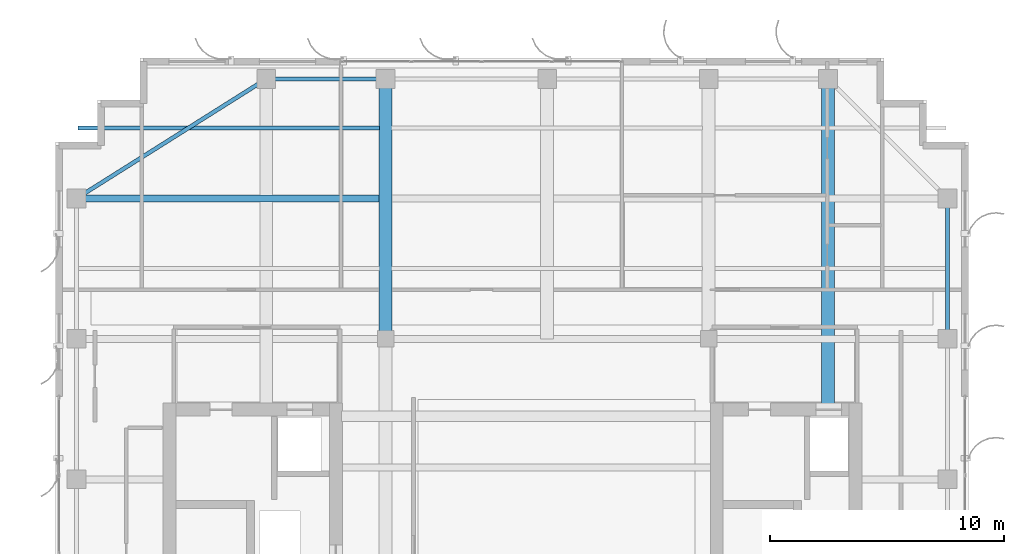
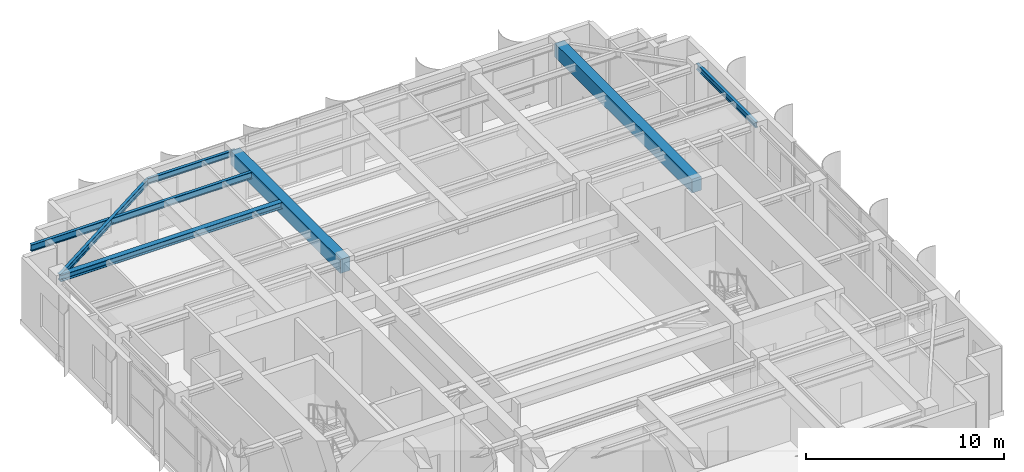
# One storey, part 14 of 26: 7 beams.
"""IFC4 building model written with IfcOpenShell, lengths in metres."""

from ifc_helpers import new_model, si_unit, direction, frame, origin, origin_2d, place, context, subcontext, project, spatial, rectangle, i_section, extrude, source, transform, mapped, material, material_profile, profile_set, type_object, element, save


model = new_model("IFC4")

# Units and contexts
model_context = context("Model", 3, precision=1e-05, world=origin(), true_north=direction((0.0, 1.0)))
body_context = subcontext(model_context, "Body", "Model", "MODEL_VIEW")
ifc_project = project(units=[si_unit("LENGTHUNIT", "METRE"), si_unit("AREAUNIT", "SQUARE_METRE"), si_unit("VOLUMEUNIT", "CUBIC_METRE"), si_unit("PLANEANGLEUNIT", "RADIAN"), si_unit("MASSUNIT", "GRAM", prefix="KILO")], contexts=[model_context])

# Site, building, storey
site_placement = place(None, origin())
site = spatial("IfcSite", under=ifc_project, at=site_placement, CompositionType="ELEMENT")
building_placement = place(site_placement, origin())
building = spatial("IfcBuilding", under=site, at=building_placement, Name="Khoralis Quay Care Tower", CompositionType="ELEMENT")
storey_placement = place(building_placement, frame((0.0, 0.0, 289.5)))
storey = spatial("IfcBuildingStorey", under=building, at=storey_placement, Name="L76", CompositionType="ELEMENT", Elevation=289.5)

# Beams
ifc_material_1 = material(Name="Steel S355", Category="steel")
ifc_material_profile_1 = material_profile(ifc_material_1, i_section(OverallWidth=0.169921875, OverallDepth=0.360107421875, WebThickness=0.008056640625, FlangeThickness=0.0126953125, FilletRadius=0.01806640625, at=origin_2d()), Name="Steel S355")
ifc_profile_set_1 = profile_set([ifc_material_profile_1], Name="Steel S355")
beam_type_1 = type_object("IfcBeamType", Name="BM-IPE360", PredefinedType="SPANDREL", material=ifc_profile_set_1)
shared_shape_1 = source(origin(), body_context, "Body", "SweptSolid", [
    extrude(i_section(OverallWidth=0.169921875, OverallDepth=0.360107421875, WebThickness=0.008056640625, FlangeThickness=0.0126953125, FilletRadius=0.01806640625, at=origin_2d()), origin(), (0.0, 0.0, 1.0), 5.10009765625),
])
beam_1_placement = place(storey_placement, frame((12.0, 41.10009765625, 3.739990234375), z_axis=(1.0, 0.0, 0.0), x_axis=(0.0, 1.0, 0.0)))
element("IfcBeam", 1, at=beam_1_placement, inside=storey, type_object=beam_type_1, Name="BM-TSP-L76-05", PredefinedType="SPANDREL", context=body_context, shape_type="MappedRepresentation", body=[
    mapped(shared_shape_1, transform((0.0, 0.0, 0.0), scale=1.0)),
])
shared_shape_2 = source(origin(), body_context, "Body", "SweptSolid", [
    extrude(i_section(OverallWidth=0.169921875, OverallDepth=0.360107421875, WebThickness=0.008056640625, FlangeThickness=0.0126953125, FilletRadius=0.01806640625, at=origin_2d()), origin(), (0.0, 0.0, 1.0), 6.0),
])
beam_2_placement = place(storey_placement, frame((41.10009765625, 30.0, 3.739990234375), z_axis=(0.0, 1.0, 0.0), x_axis=(-1.0, 0.0, 0.0)))
element("IfcBeam", 2, at=beam_2_placement, inside=storey, type_object=beam_type_1, Name="BM-TSP-L76-16", PredefinedType="SPANDREL", context=body_context, shape_type="MappedRepresentation", body=[
    mapped(shared_shape_2, transform((0.0, 0.0, 0.0), scale=1.0)),
])
shared_shape_3 = source(origin(), body_context, "Body", "SweptSolid", [
    extrude(i_section(OverallWidth=0.169921875, OverallDepth=0.360107421875, WebThickness=0.008056640625, FlangeThickness=0.0126953125, FilletRadius=0.01806640625, at=origin_2d()), origin(), (0.0, 0.0, 1.0), 9.572021484375),
])
beam_3_placement = place(storey_placement, frame((12.0, 41.10009765625, 3.739990234375), z_axis=(-0.846231136359, -0.532815975602, 0.0), x_axis=(0.532815975602, -0.846231136359, 0.0)))
element("IfcBeam", 3, at=beam_3_placement, inside=storey, type_object=beam_type_1, Name="BM-TCR-L76-19", PredefinedType="SPANDREL", context=body_context, shape_type="MappedRepresentation", body=[
    mapped(shared_shape_3, transform((0.0, 0.0, 0.0), scale=1.0)),
])
ifc_material_profile_2 = material_profile(ifc_material_1, i_section(OverallWidth=0.300048828125, OverallDepth=0.39990234375, WebThickness=0.013427734375, FlangeThickness=0.02392578125, FilletRadius=0.027099609375, at=origin_2d()), Name="Steel S355")
ifc_profile_set_2 = profile_set([ifc_material_profile_2], Name="Steel S355")
beam_type_2 = type_object("IfcBeamType", Name="BM-HEB400", PredefinedType="BEAM", material=ifc_profile_set_2)
shared_shape_4 = source(origin(), body_context, "Body", "SweptSolid", [
    extrude(i_section(OverallWidth=0.300048828125, OverallDepth=0.39990234375, WebThickness=0.013427734375, FlangeThickness=0.02392578125, FilletRadius=0.027099609375, at=origin_2d()), origin(), (0.0, 0.0, 1.0), 12.93701171875),
])
beam_4_placement = place(storey_placement, frame((3.89990234375, 36.0, 3.719970703125), z_axis=(1.0, 0.0, 0.0), x_axis=(0.0, 1.0, 0.0)))
element("IfcBeam", 4, at=beam_4_placement, inside=storey, type_object=beam_type_2, Name="BM-TGXW-L76-360", PredefinedType="BEAM", context=body_context, shape_type="MappedRepresentation", body=[
    mapped(shared_shape_4, transform((0.0, 0.0, 0.0), scale=1.0)),
])
ifc_material_2 = material(Name="Concrete C50/60", Category="concrete")
ifc_material_profile_3 = material_profile(ifc_material_2, rectangle(XDim=0.550048828125, YDim=0.85009765625, at=origin_2d()), Name="Concrete C50/60")
ifc_profile_set_3 = profile_set([ifc_material_profile_3], Name="Concrete C50/60")
beam_type_3 = type_object("IfcBeamType", Name="BM-RC550X850", PredefinedType="BEAM", material=ifc_profile_set_3)
shared_shape_5 = source(origin(), body_context, "Body", "SweptSolid", [
    extrude(rectangle(XDim=0.550048828125, YDim=0.85009765625, at=origin_2d()), origin(), (0.0, 0.0, 1.0), 13.85205078125),
])
beam_5_placement = place(storey_placement, frame((36.0, 27.248046875, 3.4951171875), z_axis=(0.0, 1.0, 0.0), x_axis=(-1.0, 0.0, 0.0)))
element("IfcBeam", 5, at=beam_5_placement, inside=storey, type_object=beam_type_3, Name="BM-TGYN-L76-360", PredefinedType="BEAM", context=body_context, shape_type="MappedRepresentation", body=[
    mapped(shared_shape_5, transform((0.0, 0.0, 0.0), scale=1.0)),
])
shared_shape_6 = source(origin(), body_context, "Body", "SweptSolid", [
    extrude(rectangle(XDim=0.550048828125, YDim=0.85009765625, at=origin_2d()), origin(), (0.0, 0.0, 1.0), 11.10009765625),
])
beam_6_placement = place(storey_placement, frame((17.10009765625, 30.0, 3.4951171875), z_axis=(0.0, 1.0, 0.0), x_axis=(-1.0, 0.0, 0.0)))
element("IfcBeam", 6, at=beam_6_placement, inside=storey, type_object=beam_type_3, Name="BM-TGYN-L76-171", PredefinedType="BEAM", context=body_context, shape_type="MappedRepresentation", body=[
    mapped(shared_shape_6, transform((0.0, 0.0, 0.0), scale=1.0)),
])
ifc_material_profile_4 = material_profile(ifc_material_1, i_section(OverallWidth=0.177978515625, OverallDepth=0.406982421875, WebThickness=0.0078125, FlangeThickness=0.0126953125, FilletRadius=0.012939453125, at=origin_2d()), Name="Steel S355")
ifc_profile_set_4 = profile_set([ifc_material_profile_4], Name="Steel S355")
beam_type_4 = type_object("IfcBeamType", Name="BM-W410X60", PredefinedType="JOIST", material=ifc_profile_set_4)
shared_shape_7 = source(origin(), body_context, "Body", "SweptSolid", [
    extrude(i_section(OverallWidth=0.177978515625, OverallDepth=0.406982421875, WebThickness=0.0078125, FlangeThickness=0.0126953125, FilletRadius=0.012939453125, at=origin_2d()), origin(), (0.0, 0.0, 1.0), 12.865966796875),
])
beam_7_placement = place(storey_placement, frame((3.970947265625, 39.0, 3.716552734375), z_axis=(1.0, 0.0, 0.0), x_axis=(0.0, 1.0, 0.0)))
element("IfcBeam", 7, at=beam_7_placement, inside=storey, type_object=beam_type_4, Name="BM-TJS-L76-27", PredefinedType="JOIST", context=body_context, shape_type="MappedRepresentation", body=[
    mapped(shared_shape_7, transform((0.0, 0.0, 0.0), scale=1.0)),
])

save(model, "model.ifc")
